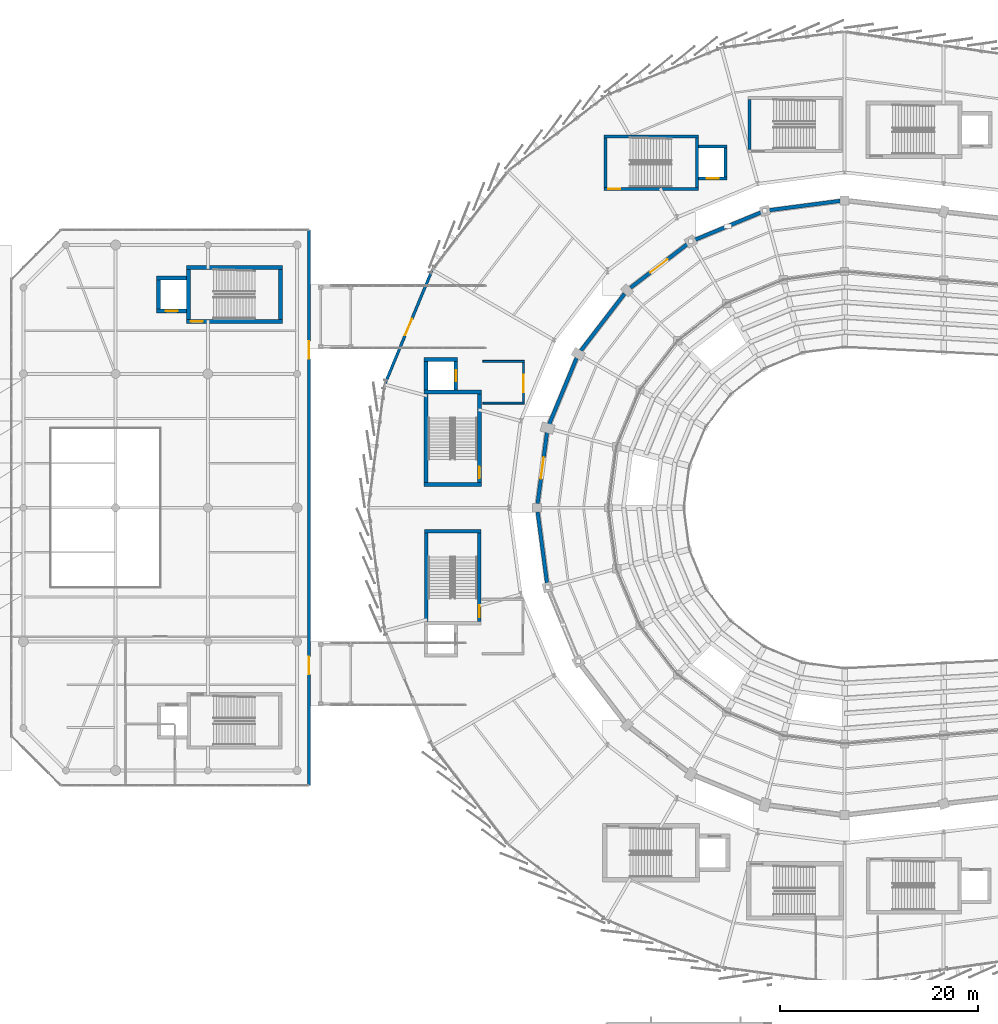
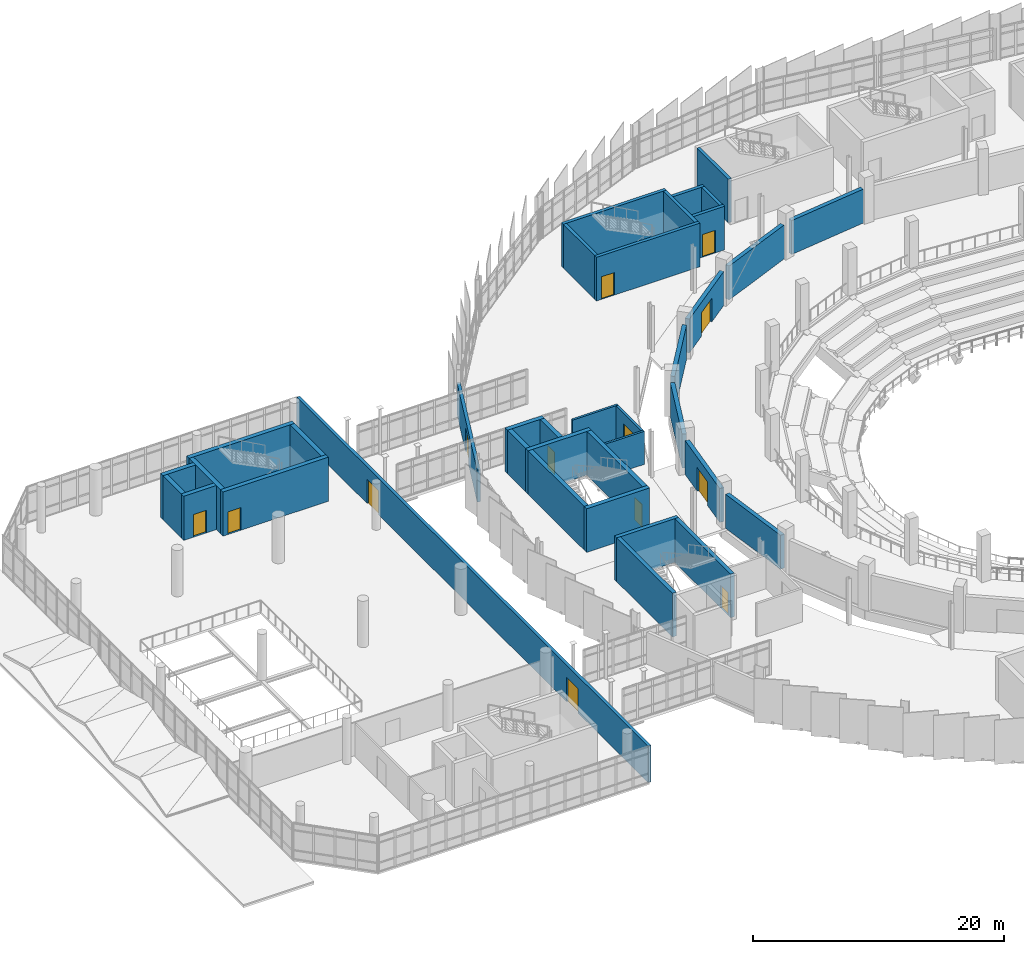
# One storey, part 111 of 134: 37 walls, 13 doors, 13 openings.
"""IFC4 building model written with IfcOpenShell, lengths in metres."""

from ifc_helpers import new_model, si_unit, direction, frame, frame_2d, origin, place, context, subcontext, project, spatial, rectangle, extrude, material, layer, layer_set, type_object, element, fill, save


model = new_model("IFC4")

# Units and contexts
model_context = context("Model", 3, precision=1e-05, world=origin(), true_north=direction((0.0, 1.0)))
body_context = subcontext(model_context, "Body", "Model", "MODEL_VIEW")
ifc_project = project(units=[si_unit("LENGTHUNIT", "METRE"), si_unit("AREAUNIT", "SQUARE_METRE"), si_unit("VOLUMEUNIT", "CUBIC_METRE"), si_unit("PLANEANGLEUNIT", "RADIAN"), si_unit("MASSUNIT", "GRAM", prefix="KILO")], contexts=[model_context])

# Site, building, storey
site_placement = place(None, origin())
site = spatial("IfcSite", under=ifc_project, at=site_placement, CompositionType="ELEMENT")
building_placement = place(site_placement, origin())
building = spatial("IfcBuilding", under=site, at=building_placement, Name="Sohan Crest Arena", CompositionType="ELEMENT")
storey_placement = place(building_placement, frame((0.0, 0.0, 4.5)))
storey = spatial("IfcBuildingStorey", under=building, at=storey_placement, Name="L01", CompositionType="ELEMENT", Elevation=4.5)

# Wall, opening, door
ifc_material_1 = material(Name="Clinker brick and ceramic mosaic envelope wall", Category="masonry")
ifc_layer_1 = layer(ifc_material_1, 0.280029296875, Name="Clinker brick and ceramic mosaic envelope wall")
ifc_layer_set_1 = layer_set([ifc_layer_1], Name="Clinker brick and ceramic mosaic envelope wall")
wall_type_1 = type_object("IfcWallType", Name="WAL-EW02", PredefinedType="SOLIDWALL", material=ifc_layer_set_1)
wall_1_placement = place(storey_placement, frame((56.381103515625, 101.8798828125, 0.0), z_axis=(0.0, 0.0, 1.0), x_axis=(-0.382625334652, -0.923903595232, 0.0)))
wall_1 = element("IfcWall", 1, at=wall_1_placement, inside=storey, type_object=wall_type_1, Name="External wall EW-088", PredefinedType="SOLIDWALL", context=body_context, shape_type="SweptSolid", body=[
    extrude(rectangle(XDim=12.270751953125, YDim=0.280029296875, at=frame_2d((6.13525390625, 0.0))), origin(), (0.0, 0.0, 1.0), 3.10009765625),
])
opening_1_placement = place(wall_1_placement, frame((5.235107421875, 0.0, 0.0)))
opening_1 = element("IfcOpeningElement", 2, at=opening_1_placement, cuts=wall_1, Name="Opening BD-L01-05", PredefinedType="OPENING", context=body_context, shape_type="SweptSolid", body=[
    extrude(rectangle(XDim=1.800048828125, YDim=2.35009765625, at=frame_2d((0.89990234375, 1.175048828125))), frame((0.0, 0.14990234375, 0.0), z_axis=(0.0, -1.0, 0.0), x_axis=(1.0, 0.0, 0.0)), (0.0, 0.0, 1.0), 0.300048828125),
])
ifc_material_2 = material(Name="Glazed aluminium terrace access door", Category="aluminium")
door_type_1 = type_object("IfcDoorType", Name="DR-ED01", OperationType="DOUBLE_DOOR_SINGLE_SWING", PredefinedType="DOOR", material=ifc_material_2)
door_1_placement = place(opening_1_placement, frame((1.800048828125, 0.0, 0.0), z_axis=(0.0, 0.0, 1.0), x_axis=(-1.0, 0.0, 0.0)))
door_1 = element("IfcDoor", 3, at=door_1_placement, inside=storey, type_object=door_type_1, Name="Covered bridge passage door BD-L01-05", OperationType="DOUBLE_DOOR_SINGLE_SWING", OverallHeight=2.35009765625, OverallWidth=1.800048828125, PredefinedType="DOOR", context=body_context, shape_type="SweptSolid", body=[
    extrude(rectangle(XDim=1.800048828125, YDim=2.35009765625, at=frame_2d((0.89990234375, 1.175048828125))), frame((0.0, 0.02490234375, 0.0), z_axis=(0.0, -1.0, 0.0), x_axis=(1.0, 0.0, 0.0)), (0.0, 0.0, 1.0), 0.050048828125),
])
fill(opening_1, door_1)

# Wall, openings, doors
wall_2_placement = place(storey_placement, frame((44.0, 50.0, 0.0), z_axis=(0.0, 0.0, 1.0), x_axis=(0.0, 1.0, 0.0)))
wall_2 = element("IfcWall", 4, at=wall_2_placement, inside=storey, type_object=wall_type_1, Name="External wall EW-100", PredefinedType="SOLIDWALL", context=body_context, shape_type="SweptSolid", body=[
    extrude(rectangle(XDim=56.0, YDim=0.280029296875, at=frame_2d((28.0, 0.0))), origin(), (0.0, 0.0, 1.0), 3.550048828125),
])
opening_2_placement = place(wall_2_placement, frame((11.199951171875, 0.0, 0.0)))
opening_2 = element("IfcOpeningElement", 5, at=opening_2_placement, cuts=wall_2, Name="Opening V3B-L01-62", PredefinedType="OPENING", context=body_context, shape_type="SweptSolid", body=[
    extrude(rectangle(XDim=1.800048828125, YDim=2.35009765625, at=frame_2d((0.89990234375, 1.175048828125))), frame((0.0, 0.14990234375, 0.0), z_axis=(0.0, -1.0, 0.0), x_axis=(1.0, 0.0, 0.0)), (0.0, 0.0, 1.0), 0.300048828125),
])
opening_3_placement = place(wall_2_placement, frame((43.0, 0.0, 0.0)))
opening_3 = element("IfcOpeningElement", 6, at=opening_3_placement, cuts=wall_2, Name="Opening V3B-L01-93", PredefinedType="OPENING", context=body_context, shape_type="SweptSolid", body=[
    extrude(rectangle(XDim=1.800048828125, YDim=2.35009765625, at=frame_2d((0.89990234375, 1.175048828125))), frame((0.0, 0.14990234375, 0.0), z_axis=(0.0, -1.0, 0.0), x_axis=(1.0, 0.0, 0.0)), (0.0, 0.0, 1.0), 0.300048828125),
])
door_2_placement = place(opening_2_placement, frame((1.800048828125, 0.0, 0.0), z_axis=(0.0, 0.0, 1.0), x_axis=(-1.0, 0.0, 0.0)))
door_2 = element("IfcDoor", 7, at=door_2_placement, inside=storey, type_object=door_type_1, Name="Foyer bridge door V3B-L01-62", OperationType="DOUBLE_DOOR_SINGLE_SWING", OverallHeight=2.35009765625, OverallWidth=1.800048828125, PredefinedType="DOOR", context=body_context, shape_type="SweptSolid", body=[
    extrude(rectangle(XDim=1.800048828125, YDim=2.35009765625, at=frame_2d((0.89990234375, 1.175048828125))), frame((0.0, 0.02490234375, 0.0), z_axis=(0.0, -1.0, 0.0), x_axis=(1.0, 0.0, 0.0)), (0.0, 0.0, 1.0), 0.050048828125),
])
fill(opening_2, door_2)
door_3_placement = place(opening_3_placement, frame((1.800048828125, 0.0, 0.0), z_axis=(0.0, 0.0, 1.0), x_axis=(-1.0, 0.0, 0.0)))
door_3 = element("IfcDoor", 8, at=door_3_placement, inside=storey, type_object=door_type_1, Name="Foyer bridge door V3B-L01-93", OperationType="DOUBLE_DOOR_SINGLE_SWING", OverallHeight=2.35009765625, OverallWidth=1.800048828125, PredefinedType="DOOR", context=body_context, shape_type="SweptSolid", body=[
    extrude(rectangle(XDim=1.800048828125, YDim=2.35009765625, at=frame_2d((0.89990234375, 1.175048828125))), frame((0.0, 0.02490234375, 0.0), z_axis=(0.0, -1.0, 0.0), x_axis=(1.0, 0.0, 0.0)), (0.0, 0.0, 1.0), 0.050048828125),
])
fill(opening_3, door_3)

# Walls
ifc_material_3 = material(Name="Acoustic insulated bowl drum enclosure wall", Category="masonry")
ifc_layer_2 = layer(ifc_material_3, 0.3701171875, Name="Acoustic insulated bowl drum enclosure wall")
ifc_layer_set_2 = layer_set([ifc_layer_2], Name="Acoustic insulated bowl drum enclosure wall")
wall_type_2 = type_object("IfcWallType", Name="WAL-EW05", PredefinedType="SOLIDWALL", material=ifc_layer_set_2)
wall_3_placement = place(storey_placement, frame((97.56396484375, 108.943115234375, 0.0), z_axis=(0.0, 0.0, 1.0), x_axis=(-0.991432160885, -0.130622625772, 0.0)))
element("IfcWall", 9, at=wall_3_placement, inside=storey, type_object=wall_type_2, Name="Acoustic bowl drum wall BW-L01-01", PredefinedType="SOLIDWALL", context=body_context, shape_type="SweptSolid", body=[
    extrude(rectangle(XDim=7.212646484375, YDim=0.3701171875, at=frame_2d((3.6064453125, 0.0))), origin(), (0.0, 0.0, 1.0), 3.300048828125),
])
wall_4_placement = place(storey_placement, frame((89.570068359375, 107.77587890625, 0.0), z_axis=(0.0, 0.0, 1.0), x_axis=(-0.923828261086, -0.382807189089, 0.0)))
element("IfcWall", 10, at=wall_4_placement, inside=storey, type_object=wall_type_2, Name="Acoustic bowl drum wall BW-L01-02", PredefinedType="SOLIDWALL", context=body_context, shape_type="SweptSolid", body=[
    extrude(rectangle(XDim=7.21240234375, YDim=0.3701171875, at=frame_2d((3.606201171875, 0.0))), origin(), (0.0, 0.0, 1.0), 3.300048828125),
])

# Wall, opening, door
wall_5_placement = place(storey_placement, frame((82.15087890625, 104.5791015625, 0.0), z_axis=(0.0, 0.0, 1.0), x_axis=(-0.793318070515, -0.608807390719, 0.0)))
wall_5 = element("IfcWall", 11, at=wall_5_placement, inside=storey, type_object=wall_type_2, Name="Acoustic bowl drum wall BW-L01-03", PredefinedType="SOLIDWALL", context=body_context, shape_type="SweptSolid", body=[
    extrude(rectangle(XDim=7.212646484375, YDim=0.3701171875, at=frame_2d((3.6064453125, 0.0))), origin(), (0.0, 0.0, 1.0), 3.300048828125),
])
opening_4_placement = place(wall_5_placement, frame((2.506103515625, 0.0, 0.0)))
opening_4 = element("IfcOpeningElement", 12, at=opening_4_placement, cuts=wall_5, Name="Opening VD-L01-03", PredefinedType="OPENING", context=body_context, shape_type="SweptSolid", body=[
    extrude(rectangle(XDim=2.199951171875, YDim=2.300048828125, at=frame_2d((1.10009765625, 1.14990234375))), frame((0.0, 0.195068359375, 0.0), z_axis=(0.0, -1.0, 0.0), x_axis=(1.0, 0.0, 0.0)), (0.0, 0.0, 1.0), 0.39013671875),
])
ifc_material_4 = material(Name="Fire-rated steel double escape door", Category="steel")
door_type_2 = type_object("IfcDoorType", Name="DR-FD01", OperationType="DOUBLE_DOOR_SINGLE_SWING", PredefinedType="DOOR", material=ifc_material_4)
door_4_placement = place(opening_4_placement, origin())
door_4 = element("IfcDoor", 13, at=door_4_placement, inside=storey, type_object=door_type_2, Name="Bowl vomitory portal fire door VD-L01-03", OperationType="DOUBLE_DOOR_SINGLE_SWING", OverallHeight=2.300048828125, OverallWidth=2.199951171875, PredefinedType="DOOR", context=body_context, shape_type="SweptSolid", body=[
    extrude(rectangle(XDim=2.199951171875, YDim=2.300048828125, at=frame_2d((1.10009765625, 1.14990234375))), frame((0.0, 0.02490234375, 0.0), z_axis=(0.0, -1.0, 0.0), x_axis=(1.0, 0.0, 0.0)), (0.0, 0.0, 1.0), 0.050048828125),
])
fill(opening_4, door_4)

# Walls
wall_6_placement = place(storey_placement, frame((75.81201171875, 99.571044921875, 0.0), z_axis=(0.0, 0.0, 1.0), x_axis=(-0.608807390719, -0.793318070515, 0.0)))
element("IfcWall", 14, at=wall_6_placement, inside=storey, type_object=wall_type_2, Name="Acoustic bowl drum wall BW-L01-04", PredefinedType="SOLIDWALL", context=body_context, shape_type="SweptSolid", body=[
    extrude(rectangle(XDim=7.212646484375, YDim=0.3701171875, at=frame_2d((3.6064453125, 0.0))), origin(), (0.0, 0.0, 1.0), 3.300048828125),
])
wall_7_placement = place(storey_placement, frame((70.985107421875, 93.093017578125, 0.0), z_axis=(0.0, 0.0, 1.0), x_axis=(-0.382807189089, -0.923828261086, 0.0)))
element("IfcWall", 15, at=wall_7_placement, inside=storey, type_object=wall_type_2, Name="Acoustic bowl drum wall BW-L01-05", PredefinedType="SOLIDWALL", context=body_context, shape_type="SweptSolid", body=[
    extrude(rectangle(XDim=7.21240234375, YDim=0.3701171875, at=frame_2d((3.606201171875, 0.0))), origin(), (0.0, 0.0, 1.0), 3.300048828125),
])

# Wall, opening, door
wall_8_placement = place(storey_placement, frame((67.9990234375, 85.5869140625, 0.0), z_axis=(0.0, 0.0, 1.0), x_axis=(-0.130622625772, -0.991432160885, 0.0)))
wall_8 = element("IfcWall", 16, at=wall_8_placement, inside=storey, type_object=wall_type_2, Name="Acoustic bowl drum wall BW-L01-06", PredefinedType="SOLIDWALL", context=body_context, shape_type="SweptSolid", body=[
    extrude(rectangle(XDim=7.212646484375, YDim=0.3701171875, at=frame_2d((3.6064453125, 0.0))), origin(), (0.0, 0.0, 1.0), 3.300048828125),
])
opening_5_placement = place(wall_8_placement, frame((2.506103515625, 0.0, 0.0)))
opening_5 = element("IfcOpeningElement", 17, at=opening_5_placement, cuts=wall_8, Name="Opening VD-L01-06", PredefinedType="OPENING", context=body_context, shape_type="SweptSolid", body=[
    extrude(rectangle(XDim=2.199951171875, YDim=2.300048828125, at=frame_2d((1.10009765625, 1.14990234375))), frame((0.0, 0.195068359375, 0.0), z_axis=(0.0, -1.0, 0.0), x_axis=(1.0, 0.0, 0.0)), (0.0, 0.0, 1.0), 0.39013671875),
])
door_5_placement = place(opening_5_placement, origin())
door_5 = element("IfcDoor", 18, at=door_5_placement, inside=storey, type_object=door_type_2, Name="Bowl vomitory portal fire door VD-L01-06", OperationType="DOUBLE_DOOR_SINGLE_SWING", OverallHeight=2.300048828125, OverallWidth=2.199951171875, PredefinedType="DOOR", context=body_context, shape_type="SweptSolid", body=[
    extrude(rectangle(XDim=2.199951171875, YDim=2.300048828125, at=frame_2d((1.10009765625, 1.14990234375))), frame((0.0, 0.02490234375, 0.0), z_axis=(0.0, -1.0, 0.0), x_axis=(1.0, 0.0, 0.0)), (0.0, 0.0, 1.0), 0.050048828125),
])
fill(opening_5, door_5)

# Walls
wall_9_placement = place(storey_placement, frame((67.056884765625, 77.56396484375, 0.0), z_axis=(0.0, 0.0, 1.0), x_axis=(0.130622625772, -0.991432160885, 0.0)))
element("IfcWall", 19, at=wall_9_placement, inside=storey, type_object=wall_type_2, Name="Acoustic bowl drum wall BW-L01-07", PredefinedType="SOLIDWALL", context=body_context, shape_type="SweptSolid", body=[
    extrude(rectangle(XDim=7.212646484375, YDim=0.3701171875, at=frame_2d((3.6064453125, 0.0))), origin(), (0.0, 0.0, 1.0), 3.300048828125),
])
ifc_material_5 = material(Name="Fire-rated masonry blockwork compartment wall", Category="masonry")
ifc_layer_3 = layer(ifc_material_5, 0.199951171875, Name="Fire-rated masonry blockwork compartment wall")
ifc_layer_set_3 = layer_set([ifc_layer_3], Name="Fire-rated masonry blockwork compartment wall")
wall_type_3 = type_object("IfcWallType", Name="WAL-FW01", PredefinedType="PARTITIONING", material=ifc_layer_set_3)
for number, where, z_axis, x_axis, name in (
    (20, (61.5400390625, 88.550048828125, 0.0), (0.0, 0.0, 1.0), (1.0, 0.0, 0.0), "Interior partition wall PW-0098"),
    (21, (61.5400390625, 92.75, 0.0), (0.0, 0.0, 1.0), (1.0, 0.0, 0.0), "Interior partition wall PW-0099"),
):
    element("IfcWall", number, at=place(storey_placement, frame(where, z_axis=z_axis, x_axis=x_axis)), inside=storey, type_object=wall_type_3, Name=name, PredefinedType="PARTITIONING", context=body_context, shape_type="SweptSolid", body=[
        extrude(rectangle(XDim=4.179931640625, YDim=0.199951171875, at=frame_2d((2.08984375, 0.0))), origin(), (0.0, 0.0, 1.0), 3.219970703125),
    ])

# Wall, opening, door
wall_10_placement = place(storey_placement, frame((65.6201171875, 88.669921875, 0.0), z_axis=(0.0, 0.0, 1.0), x_axis=(0.0, 1.0, 0.0)))
wall_10 = element("IfcWall", 22, at=wall_10_placement, inside=storey, type_object=wall_type_3, Name="Interior partition wall PW-0100", PredefinedType="PARTITIONING", context=body_context, shape_type="SweptSolid", body=[
    extrude(rectangle(XDim=3.9599609375, YDim=0.199951171875, at=frame_2d((1.97998046875, 0.0))), origin(), (0.0, 0.0, 1.0), 3.219970703125),
])
opening_6_placement = place(wall_10_placement, frame((0.949951171875, 0.0, 0.0)))
opening_6 = element("IfcOpeningElement", 23, at=opening_6_placement, cuts=wall_10, Name="Opening FFL-0030", PredefinedType="OPENING", context=body_context, shape_type="SweptSolid", body=[
    extrude(rectangle(XDim=1.800048828125, YDim=2.199951171875, at=frame_2d((0.89990234375, 1.10009765625))), frame((0.0, 0.10986328125, 0.0), z_axis=(0.0, -1.0, 0.0), x_axis=(1.0, 0.0, 0.0)), (0.0, 0.0, 1.0), 0.219970703125),
])
ifc_material_6 = material(Name="Fire-rated timber-faced lobby double door", Category="wood")
door_type_3 = type_object("IfcDoorType", Name="DR-FD03", OperationType="DOUBLE_DOOR_SINGLE_SWING", PredefinedType="DOOR", material=ifc_material_6)
door_6_placement = place(opening_6_placement, origin())
door_6 = element("IfcDoor", 24, at=door_6_placement, inside=storey, type_object=door_type_3, Name="Firefighting lift lobby door FL02 FFL-0030", OperationType="DOUBLE_DOOR_SINGLE_SWING", OverallHeight=2.199951171875, OverallWidth=1.800048828125, PredefinedType="DOOR", context=body_context, shape_type="SweptSolid", body=[
    extrude(rectangle(XDim=1.800048828125, YDim=2.199951171875, at=frame_2d((0.89990234375, 1.10009765625))), frame((0.0, 0.02490234375, 0.0), z_axis=(0.0, -1.0, 0.0), x_axis=(1.0, 0.0, 0.0)), (0.0, 0.0, 1.0), 0.050048828125),
])
fill(opening_6, door_6)

# Walls
ifc_material_7 = material(Name="Concrete C40/50", Category="concrete")
ifc_layer_4 = layer(ifc_material_7, 0.300048828125, Name="Concrete C40/50")
ifc_layer_set_4 = layer_set([ifc_layer_4], Name="Concrete C40/50")
wall_type_4 = type_object("IfcWallType", Name="WAL-SW01", PredefinedType="SHEAR", material=ifc_layer_set_4)
for number, where, z_axis, x_axis, name in (
    (25, (73.89990234375, 110.300048828125, 0.0), (0.0, 0.0, 1.0), (0.0, 1.0, 0.0), "Core shear wall SW-0204"),
    (26, (83.10009765625, 110.300048828125, 0.0), (0.0, 0.0, 1.0), (0.0, 1.0, 0.0), "Core shear wall SW-0205"),
):
    element("IfcWall", number, at=place(storey_placement, frame(where, z_axis=z_axis, x_axis=x_axis)), inside=storey, type_object=wall_type_4, Name=name, PredefinedType="SHEAR", context=body_context, shape_type="SweptSolid", body=[
        extrude(rectangle(XDim=5.0, YDim=0.300048828125, at=frame_2d((2.5, 0.0))), origin(), (0.0, 0.0, 1.0), 4.25),
    ])

# Wall, opening, door
wall_11_placement = place(storey_placement, frame((73.75, 110.14990234375, 0.0), z_axis=(0.0, 0.0, 1.0), x_axis=(1.0, 0.0, 0.0)))
wall_11 = element("IfcWall", 27, at=wall_11_placement, inside=storey, type_object=wall_type_4, Name="Core shear wall SW-0206", PredefinedType="SHEAR", context=body_context, shape_type="SweptSolid", body=[
    extrude(rectangle(XDim=9.5, YDim=0.300048828125, at=frame_2d((4.75, 0.0))), origin(), (0.0, 0.0, 1.0), 4.25),
])
opening_7_placement = place(wall_11_placement, frame((0.449951171875, 0.0, 0.0)))
opening_7 = element("IfcOpeningElement", 28, at=opening_7_placement, cuts=wall_11, Name="Opening SD-0061", PredefinedType="OPENING", context=body_context, shape_type="SweptSolid", body=[
    extrude(rectangle(XDim=1.199951171875, YDim=2.199951171875, at=frame_2d((0.60009765625, 1.10009765625))), frame((0.0, 0.159912109375, 0.0), z_axis=(0.0, -1.0, 0.0), x_axis=(1.0, 0.0, 0.0)), (0.0, 0.0, 1.0), 0.320068359375),
])
ifc_material_8 = material(Name="Fire-rated steel stair and lobby door", Category="steel")
door_type_4 = type_object("IfcDoorType", Name="DR-FD04", OperationType="NOTDEFINED", PredefinedType="DOOR", material=ifc_material_8)
door_7_placement = place(opening_7_placement, frame((1.199951171875, 0.0, 0.0), z_axis=(0.0, 0.0, 1.0), x_axis=(-1.0, 0.0, 0.0)))
door_7 = element("IfcDoor", 29, at=door_7_placement, inside=storey, type_object=door_type_4, Name="Protected stair door SD-0061", OperationType="SINGLE_SWING_RIGHT", OverallHeight=2.199951171875, OverallWidth=1.199951171875, PredefinedType="DOOR", context=body_context, shape_type="SweptSolid", body=[
    extrude(rectangle(XDim=1.199951171875, YDim=2.199951171875, at=frame_2d((0.60009765625, 1.10009765625))), frame((0.0, 0.02490234375, 0.0), z_axis=(0.0, -1.0, 0.0), x_axis=(1.0, 0.0, 0.0)), (0.0, 0.0, 1.0), 0.050048828125),
])
fill(opening_7, door_7)

# Walls
wall_12_placement = place(storey_placement, frame((73.75, 115.449951171875, 0.0), z_axis=(0.0, 0.0, 1.0), x_axis=(1.0, 0.0, 0.0)))
element("IfcWall", 30, at=wall_12_placement, inside=storey, type_object=wall_type_4, Name="Core shear wall SW-0207", PredefinedType="SHEAR", context=body_context, shape_type="SweptSolid", body=[
    extrude(rectangle(XDim=9.5, YDim=0.300048828125, at=frame_2d((4.75, 0.0))), origin(), (0.0, 0.0, 1.0), 4.25),
])
wall_13_placement = place(storey_placement, frame((86.0, 111.35009765625, 0.0), z_axis=(0.0, 0.0, 1.0), x_axis=(0.0, 1.0, 0.0)))
element("IfcWall", 31, at=wall_13_placement, inside=storey, type_object=wall_type_4, Name="Core shear wall SW-0208", PredefinedType="SHEAR", context=body_context, shape_type="SweptSolid", body=[
    extrude(rectangle(XDim=2.89990234375, YDim=0.300048828125, at=frame_2d((1.449951171875, 0.0))), origin(), (0.0, 0.0, 1.0), 4.25),
])

# Wall, opening, door
wall_14_placement = place(storey_placement, frame((83.25, 111.199951171875, 0.0), z_axis=(0.0, 0.0, 1.0), x_axis=(1.0, 0.0, 0.0)))
wall_14 = element("IfcWall", 32, at=wall_14_placement, inside=storey, type_object=wall_type_4, Name="Core shear wall SW-0209", PredefinedType="SHEAR", context=body_context, shape_type="SweptSolid", body=[
    extrude(rectangle(XDim=2.89990234375, YDim=0.300048828125, at=frame_2d((1.449951171875, 0.0))), origin(), (0.0, 0.0, 1.0), 4.25),
])
opening_8_placement = place(wall_14_placement, frame((0.85009765625, 0.0, 0.0)))
opening_8 = element("IfcOpeningElement", 33, at=opening_8_placement, cuts=wall_14, Name="Opening LD-LP02-L01", PredefinedType="OPENING", context=body_context, shape_type="SweptSolid", body=[
    extrude(rectangle(XDim=1.199951171875, YDim=2.199951171875, at=frame_2d((0.60009765625, 1.10009765625))), frame((0.0, 0.159912109375, 0.0), z_axis=(0.0, -1.0, 0.0), x_axis=(1.0, 0.0, 0.0)), (0.0, 0.0, 1.0), 0.320068359375),
])
ifc_material_9 = material(Name="Stainless steel passenger lift landing door", Category="steel")
door_type_5 = type_object("IfcDoorType", Name="DR-LD02", OperationType="SLIDING_TO_LEFT", PredefinedType="DOOR", material=ifc_material_9)
door_8_placement = place(opening_8_placement, origin())
door_8 = element("IfcDoor", 34, at=door_8_placement, inside=storey, type_object=door_type_5, Name="Sliding lift landing door LD-LP02-L01", OperationType="SLIDING_TO_LEFT", OverallHeight=2.199951171875, OverallWidth=1.199951171875, PredefinedType="DOOR", context=body_context, shape_type="SweptSolid", body=[
    extrude(rectangle(XDim=1.199951171875, YDim=2.199951171875, at=frame_2d((0.60009765625, 1.10009765625))), frame((0.0, 0.02490234375, 0.0), z_axis=(0.0, -1.0, 0.0), x_axis=(1.0, 0.0, 0.0)), (0.0, 0.0, 1.0), 0.050048828125),
])
fill(opening_8, door_8)

# Walls
wall_15_placement = place(storey_placement, frame((83.25, 114.39990234375, 0.0), z_axis=(0.0, 0.0, 1.0), x_axis=(1.0, 0.0, 0.0)))
element("IfcWall", 35, at=wall_15_placement, inside=storey, type_object=wall_type_4, Name="Core shear wall SW-0210", PredefinedType="SHEAR", context=body_context, shape_type="SweptSolid", body=[
    extrude(rectangle(XDim=2.89990234375, YDim=0.300048828125, at=frame_2d((1.449951171875, 0.0))), origin(), (0.0, 0.0, 1.0), 4.25),
])
wall_16_placement = place(storey_placement, frame((88.39990234375, 114.139892578125, 0.0), z_axis=(0.0, 0.0, 1.0), x_axis=(0.0, 1.0, 0.0)))
element("IfcWall", 36, at=wall_16_placement, inside=storey, type_object=wall_type_4, Name="Core shear wall SW-0765", PredefinedType="SHEAR", context=body_context, shape_type="SweptSolid", body=[
    extrude(rectangle(XDim=5.0, YDim=0.300048828125, at=frame_2d((2.5, 0.0))), origin(), (0.0, 0.0, 1.0), 4.25),
])
ifc_layer_5 = layer(ifc_material_7, 0.35009765625, Name="Concrete C40/50")
ifc_layer_set_5 = layer_set([ifc_layer_5], Name="Concrete C40/50")
wall_type_5 = type_object("IfcWallType", Name="WAL-SW02", PredefinedType="SHEAR", material=ifc_layer_set_5)
wall_17_placement = place(storey_placement, frame((55.64990234375, 75.625, 0.0), z_axis=(0.0, 0.0, 1.0), x_axis=(1.0, 0.0, 0.0)))
element("IfcWall", 37, at=wall_17_placement, inside=storey, type_object=wall_type_5, Name="Core shear wall SW-0022", PredefinedType="SHEAR", context=body_context, shape_type="SweptSolid", body=[
    extrude(rectangle(XDim=5.7001953125, YDim=0.35009765625, at=frame_2d((2.85009765625, 0.0))), origin(), (0.0, 0.0, 1.0), 4.25),
])
wall_18_placement = place(storey_placement, frame((55.824951171875, 66.550048828125, 0.0), z_axis=(0.0, 0.0, 1.0), x_axis=(0.0, 1.0, 0.0)))
element("IfcWall", 38, at=wall_18_placement, inside=storey, type_object=wall_type_5, Name="Core shear wall SW-0023", PredefinedType="SHEAR", context=body_context, shape_type="SweptSolid", body=[
    extrude(rectangle(XDim=8.89990234375, YDim=0.35009765625, at=frame_2d((4.449951171875, 0.0))), origin(), (0.0, 0.0, 1.0), 4.25),
])

# Wall, opening, door
wall_19_placement = place(storey_placement, frame((61.175048828125, 66.550048828125, 0.0), z_axis=(0.0, 0.0, 1.0), x_axis=(0.0, 1.0, 0.0)))
wall_19 = element("IfcWall", 39, at=wall_19_placement, inside=storey, type_object=wall_type_5, Name="Core shear wall SW-0024", PredefinedType="SHEAR", context=body_context, shape_type="SweptSolid", body=[
    extrude(rectangle(XDim=8.89990234375, YDim=0.35009765625, at=frame_2d((4.449951171875, 0.0))), origin(), (0.0, 0.0, 1.0), 4.25),
])
opening_9_placement = place(wall_19_placement, frame((0.39990234375, 0.0, 0.0)))
opening_9 = element("IfcOpeningElement", 40, at=opening_9_placement, cuts=wall_19, Name="Opening SD-0007", PredefinedType="OPENING", context=body_context, shape_type="SweptSolid", body=[
    extrude(rectangle(XDim=1.199951171875, YDim=2.199951171875, at=frame_2d((0.60009765625, 1.10009765625))), frame((0.0, 0.18505859375, 0.0), z_axis=(0.0, -1.0, 0.0), x_axis=(1.0, 0.0, 0.0)), (0.0, 0.0, 1.0), 0.3701171875),
])
door_9_placement = place(opening_9_placement, origin())
door_9 = element("IfcDoor", 41, at=door_9_placement, inside=storey, type_object=door_type_4, Name="Protected stair door SD-0007", OperationType="SINGLE_SWING_RIGHT", OverallHeight=2.199951171875, OverallWidth=1.199951171875, PredefinedType="DOOR", context=body_context, shape_type="SweptSolid", body=[
    extrude(rectangle(XDim=1.199951171875, YDim=2.199951171875, at=frame_2d((0.60009765625, 1.10009765625))), frame((0.0, 0.02490234375, 0.0), z_axis=(0.0, -1.0, 0.0), x_axis=(1.0, 0.0, 0.0)), (0.0, 0.0, 1.0), 0.050048828125),
])
fill(opening_9, door_9)

# Walls
ifc_layer_6 = layer(ifc_material_7, 0.39990234375, Name="Concrete C40/50")
ifc_layer_set_6 = layer_set([ifc_layer_6], Name="Concrete C40/50")
wall_type_6 = type_object("IfcWallType", Name="WAL-SW03", PredefinedType="SHEAR", material=ifc_layer_set_6)
for number, where, z_axis, x_axis, name in (
    (42, (55.60009765625, 80.35009765625, 0.0), (0.0, 0.0, 1.0), (1.0, 0.0, 0.0), "Core shear wall SW-0091"),
    (43, (55.60009765625, 89.64990234375, 0.0), (0.0, 0.0, 1.0), (1.0, 0.0, 0.0), "Core shear wall SW-0092"),
):
    element("IfcWall", number, at=place(storey_placement, frame(where, z_axis=z_axis, x_axis=x_axis)), inside=storey, type_object=wall_type_6, Name=name, PredefinedType="SHEAR", context=body_context, shape_type="SweptSolid", body=[
        extrude(rectangle(XDim=5.7998046875, YDim=0.39990234375, at=frame_2d((2.89990234375, 0.0))), origin(), (0.0, 0.0, 1.0), 4.25),
    ])
wall_20_placement = place(storey_placement, frame((55.800048828125, 80.550048828125, 0.0), z_axis=(0.0, 0.0, 1.0), x_axis=(0.0, 1.0, 0.0)))
element("IfcWall", 44, at=wall_20_placement, inside=storey, type_object=wall_type_6, Name="Core shear wall SW-0093", PredefinedType="SHEAR", context=body_context, shape_type="SweptSolid", body=[
    extrude(rectangle(XDim=8.89990234375, YDim=0.39990234375, at=frame_2d((4.449951171875, 0.0))), origin(), (0.0, 0.0, 1.0), 4.25),
])

# Wall, opening, door
wall_21_placement = place(storey_placement, frame((61.199951171875, 80.550048828125, 0.0), z_axis=(0.0, 0.0, 1.0), x_axis=(0.0, 1.0, 0.0)))
wall_21 = element("IfcWall", 45, at=wall_21_placement, inside=storey, type_object=wall_type_6, Name="Core shear wall SW-0094", PredefinedType="SHEAR", context=body_context, shape_type="SweptSolid", body=[
    extrude(rectangle(XDim=8.89990234375, YDim=0.39990234375, at=frame_2d((4.449951171875, 0.0))), origin(), (0.0, 0.0, 1.0), 4.25),
])
opening_10_placement = place(wall_21_placement, frame((0.39990234375, 0.0, 0.0)))
opening_10 = element("IfcOpeningElement", 46, at=opening_10_placement, cuts=wall_21, Name="Opening SD-0028", PredefinedType="OPENING", context=body_context, shape_type="SweptSolid", body=[
    extrude(rectangle(XDim=1.199951171875, YDim=2.199951171875, at=frame_2d((0.60009765625, 1.10009765625))), frame((0.0, 0.2099609375, 0.0), z_axis=(0.0, -1.0, 0.0), x_axis=(1.0, 0.0, 0.0)), (0.0, 0.0, 1.0), 0.419921875),
])
door_10_placement = place(opening_10_placement, origin())
door_10 = element("IfcDoor", 47, at=door_10_placement, inside=storey, type_object=door_type_4, Name="Protected stair door SD-0028", OperationType="SINGLE_SWING_RIGHT", OverallHeight=2.199951171875, OverallWidth=1.199951171875, PredefinedType="DOOR", context=body_context, shape_type="SweptSolid", body=[
    extrude(rectangle(XDim=1.199951171875, YDim=2.199951171875, at=frame_2d((0.60009765625, 1.10009765625))), frame((0.0, 0.02490234375, 0.0), z_axis=(0.0, -1.0, 0.0), x_axis=(1.0, 0.0, 0.0)), (0.0, 0.0, 1.0), 0.050048828125),
])
fill(opening_10, door_10)

# Wall
wall_22_placement = place(storey_placement, frame((55.800048828125, 89.85009765625, 0.0), z_axis=(0.0, 0.0, 1.0), x_axis=(0.0, 1.0, 0.0)))
element("IfcWall", 48, at=wall_22_placement, inside=storey, type_object=wall_type_6, Name="Core shear wall SW-0095", PredefinedType="SHEAR", context=body_context, shape_type="SweptSolid", body=[
    extrude(rectangle(XDim=2.89990234375, YDim=0.39990234375, at=frame_2d((1.449951171875, 0.0))), origin(), (0.0, 0.0, 1.0), 4.25),
])

# Wall, opening, door
wall_23_placement = place(storey_placement, frame((58.800048828125, 89.85009765625, 0.0), z_axis=(0.0, 0.0, 1.0), x_axis=(0.0, 1.0, 0.0)))
wall_23 = element("IfcWall", 49, at=wall_23_placement, inside=storey, type_object=wall_type_6, Name="Core shear wall SW-0096", PredefinedType="SHEAR", context=body_context, shape_type="SweptSolid", body=[
    extrude(rectangle(XDim=2.89990234375, YDim=0.39990234375, at=frame_2d((1.449951171875, 0.0))), origin(), (0.0, 0.0, 1.0), 4.25),
])
opening_11_placement = place(wall_23_placement, frame((0.89990234375, 0.0, 0.0)))
opening_11 = element("IfcOpeningElement", 50, at=opening_11_placement, cuts=wall_23, Name="Opening LD-FL02-L01", PredefinedType="OPENING", context=body_context, shape_type="SweptSolid", body=[
    extrude(rectangle(XDim=1.10009765625, YDim=2.199951171875, at=frame_2d((0.550048828125, 1.10009765625))), frame((0.0, 0.2099609375, 0.0), z_axis=(0.0, -1.0, 0.0), x_axis=(1.0, 0.0, 0.0)), (0.0, 0.0, 1.0), 0.419921875),
])
ifc_material_10 = material(Name="Stainless steel firefighting lift landing door", Category="steel")
door_type_6 = type_object("IfcDoorType", Name="DR-LD01", OperationType="SLIDING_TO_LEFT", PredefinedType="DOOR", material=ifc_material_10)
door_11_placement = place(opening_11_placement, origin())
door_11 = element("IfcDoor", 51, at=door_11_placement, inside=storey, type_object=door_type_6, Name="Sliding lift landing door LD-FL02-L01", OperationType="SLIDING_TO_LEFT", OverallHeight=2.199951171875, OverallWidth=1.10009765625, PredefinedType="DOOR", context=body_context, shape_type="SweptSolid", body=[
    extrude(rectangle(XDim=1.10009765625, YDim=2.199951171875, at=frame_2d((0.550048828125, 1.10009765625))), frame((0.0, 0.02490234375, 0.0), z_axis=(0.0, -1.0, 0.0), x_axis=(1.0, 0.0, 0.0)), (0.0, 0.0, 1.0), 0.050048828125),
])
fill(opening_11, door_11)

# Walls
wall_24_placement = place(storey_placement, frame((55.60009765625, 92.949951171875, 0.0), z_axis=(0.0, 0.0, 1.0), x_axis=(1.0, 0.0, 0.0)))
element("IfcWall", 52, at=wall_24_placement, inside=storey, type_object=wall_type_6, Name="Core shear wall SW-0097", PredefinedType="SHEAR", context=body_context, shape_type="SweptSolid", body=[
    extrude(rectangle(XDim=3.39990234375, YDim=0.39990234375, at=frame_2d((1.699951171875, 0.0))), origin(), (0.0, 0.0, 1.0), 4.25),
])
for number, where, z_axis, x_axis, name in (
    (53, (31.85009765625, 97.0, 0.0), (0.0, 0.0, 1.0), (0.0, 1.0, 0.0), "Core shear wall SW-0567"),
    (54, (41.14990234375, 97.0, 0.0), (0.0, 0.0, 1.0), (0.0, 1.0, 0.0), "Core shear wall SW-0568"),
):
    element("IfcWall", number, at=place(storey_placement, frame(where, z_axis=z_axis, x_axis=x_axis)), inside=storey, type_object=wall_type_6, Name=name, PredefinedType="SHEAR", context=body_context, shape_type="SweptSolid", body=[
        extrude(rectangle(XDim=5.0, YDim=0.39990234375, at=frame_2d((2.5, 0.0))), origin(), (0.0, 0.0, 1.0), 4.2900390625),
    ])

# Wall, opening, door
wall_25_placement = place(storey_placement, frame((31.64990234375, 96.800048828125, 0.0), z_axis=(0.0, 0.0, 1.0), x_axis=(1.0, 0.0, 0.0)))
wall_25 = element("IfcWall", 55, at=wall_25_placement, inside=storey, type_object=wall_type_6, Name="Core shear wall SW-0569", PredefinedType="SHEAR", context=body_context, shape_type="SweptSolid", body=[
    extrude(rectangle(XDim=9.7001953125, YDim=0.39990234375, at=frame_2d((4.85009765625, 0.0))), origin(), (0.0, 0.0, 1.0), 4.2900390625),
])
opening_12_placement = place(wall_25_placement, frame((0.449951171875, 0.0, 0.0)))
opening_12 = element("IfcOpeningElement", 56, at=opening_12_placement, cuts=wall_25, Name="Opening SD-0154", PredefinedType="OPENING", context=body_context, shape_type="SweptSolid", body=[
    extrude(rectangle(XDim=1.199951171875, YDim=2.199951171875, at=frame_2d((0.60009765625, 1.10009765625))), frame((0.0, 0.2099609375, 0.0), z_axis=(0.0, -1.0, 0.0), x_axis=(1.0, 0.0, 0.0)), (0.0, 0.0, 1.0), 0.419921875),
])
door_12_placement = place(opening_12_placement, frame((1.199951171875, 0.0, 0.0), z_axis=(0.0, 0.0, 1.0), x_axis=(-1.0, 0.0, 0.0)))
door_12 = element("IfcDoor", 57, at=door_12_placement, inside=storey, type_object=door_type_4, Name="Protected stair door SD-0154", OperationType="SINGLE_SWING_LEFT", OverallHeight=2.199951171875, OverallWidth=1.199951171875, PredefinedType="DOOR", context=body_context, shape_type="SweptSolid", body=[
    extrude(rectangle(XDim=1.199951171875, YDim=2.199951171875, at=frame_2d((0.60009765625, 1.10009765625))), frame((0.0, 0.02490234375, 0.0), z_axis=(0.0, -1.0, 0.0), x_axis=(1.0, 0.0, 0.0)), (0.0, 0.0, 1.0), 0.050048828125),
])
fill(opening_12, door_12)

# Walls
wall_26_placement = place(storey_placement, frame((31.64990234375, 102.199951171875, 0.0), z_axis=(0.0, 0.0, 1.0), x_axis=(1.0, 0.0, 0.0)))
element("IfcWall", 58, at=wall_26_placement, inside=storey, type_object=wall_type_6, Name="Core shear wall SW-0570", PredefinedType="SHEAR", context=body_context, shape_type="SweptSolid", body=[
    extrude(rectangle(XDim=9.7001953125, YDim=0.39990234375, at=frame_2d((4.85009765625, 0.0))), origin(), (0.0, 0.0, 1.0), 4.2900390625),
])
wall_27_placement = place(storey_placement, frame((28.85009765625, 98.050048828125, 0.0), z_axis=(0.0, 0.0, 1.0), x_axis=(0.0, 1.0, 0.0)))
element("IfcWall", 59, at=wall_27_placement, inside=storey, type_object=wall_type_6, Name="Core shear wall SW-0571", PredefinedType="SHEAR", context=body_context, shape_type="SweptSolid", body=[
    extrude(rectangle(XDim=2.89990234375, YDim=0.39990234375, at=frame_2d((1.449951171875, 0.0))), origin(), (0.0, 0.0, 1.0), 4.2900390625),
])

# Wall, opening, door
wall_28_placement = place(storey_placement, frame((28.64990234375, 97.85009765625, 0.0), z_axis=(0.0, 0.0, 1.0), x_axis=(1.0, 0.0, 0.0)))
wall_28 = element("IfcWall", 60, at=wall_28_placement, inside=storey, type_object=wall_type_6, Name="Core shear wall SW-0572", PredefinedType="SHEAR", context=body_context, shape_type="SweptSolid", body=[
    extrude(rectangle(XDim=3.0, YDim=0.39990234375, at=frame_2d((1.5, 0.0))), origin(), (0.0, 0.0, 1.0), 4.2900390625),
])
opening_13_placement = place(wall_28_placement, frame((0.89990234375, 0.0, 0.0)))
opening_13 = element("IfcOpeningElement", 61, at=opening_13_placement, cuts=wall_28, Name="Opening LD-LP10-L01", PredefinedType="OPENING", context=body_context, shape_type="SweptSolid", body=[
    extrude(rectangle(XDim=1.199951171875, YDim=2.199951171875, at=frame_2d((0.60009765625, 1.10009765625))), frame((0.0, 0.2099609375, 0.0), z_axis=(0.0, -1.0, 0.0), x_axis=(1.0, 0.0, 0.0)), (0.0, 0.0, 1.0), 0.419921875),
])
door_13_placement = place(opening_13_placement, origin())
door_13 = element("IfcDoor", 62, at=door_13_placement, inside=storey, type_object=door_type_5, Name="Sliding lift landing door LD-LP10-L01", OperationType="SLIDING_TO_LEFT", OverallHeight=2.199951171875, OverallWidth=1.199951171875, PredefinedType="DOOR", context=body_context, shape_type="SweptSolid", body=[
    extrude(rectangle(XDim=1.199951171875, YDim=2.199951171875, at=frame_2d((0.60009765625, 1.10009765625))), frame((0.0, 0.02490234375, 0.0), z_axis=(0.0, -1.0, 0.0), x_axis=(1.0, 0.0, 0.0)), (0.0, 0.0, 1.0), 0.050048828125),
])
fill(opening_13, door_13)

# Wall
wall_29_placement = place(storey_placement, frame((28.64990234375, 101.14990234375, 0.0), z_axis=(0.0, 0.0, 1.0), x_axis=(1.0, 0.0, 0.0)))
element("IfcWall", 63, at=wall_29_placement, inside=storey, type_object=wall_type_6, Name="Core shear wall SW-0573", PredefinedType="SHEAR", context=body_context, shape_type="SweptSolid", body=[
    extrude(rectangle(XDim=3.0, YDim=0.39990234375, at=frame_2d((1.5, 0.0))), origin(), (0.0, 0.0, 1.0), 4.2900390625),
])

save(model, "model.ifc")
